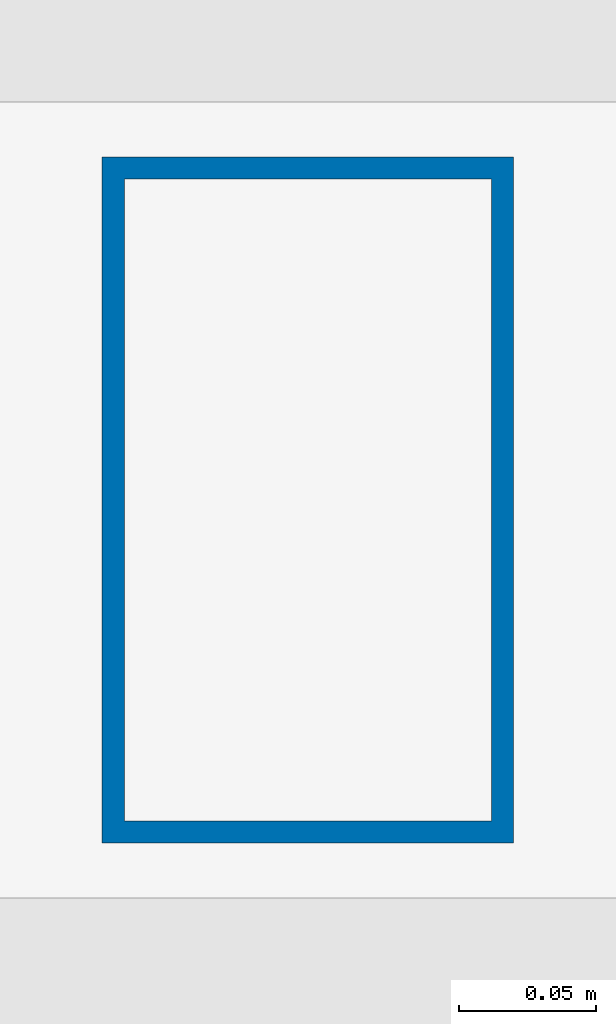
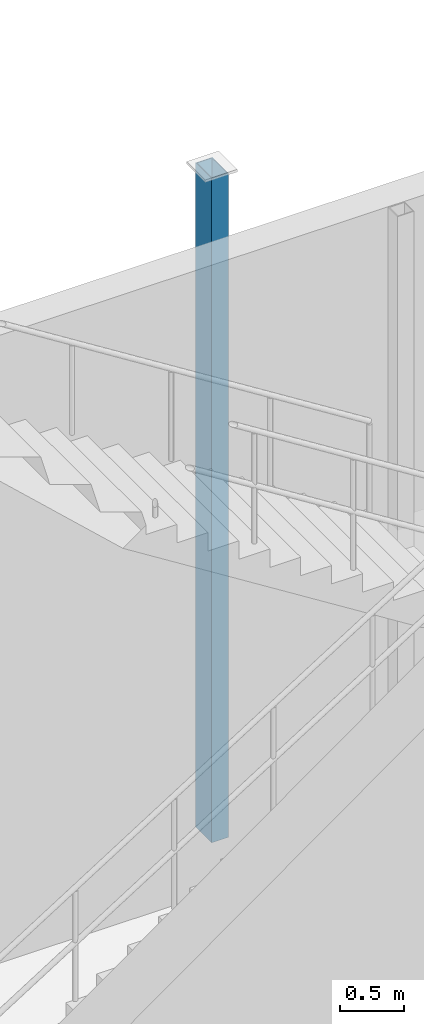
# One storey, part 15 of 120: 1 column.
"""IFC4 building model written with IfcOpenShell, lengths in metres."""

from ifc_helpers import new_model, si_unit, direction, frame, origin, origin_2d, place, context, subcontext, project, spatial, hollow_rectangle, extrude, material, material_profile, profile_set, type_object, element, save


model = new_model("IFC4")

# Units and contexts
model_context = context("Model", 3, precision=1e-05, world=origin(), true_north=direction((0.0, 1.0)))
body_context = subcontext(model_context, "Body", "Model", "MODEL_VIEW")
ifc_project = project(units=[si_unit("LENGTHUNIT", "METRE"), si_unit("AREAUNIT", "SQUARE_METRE"), si_unit("VOLUMEUNIT", "CUBIC_METRE"), si_unit("PLANEANGLEUNIT", "RADIAN"), si_unit("MASSUNIT", "GRAM", prefix="KILO")], contexts=[model_context])

# Site, building, storey
site_placement = place(None, origin())
site = spatial("IfcSite", under=ifc_project, at=site_placement, CompositionType="ELEMENT")
building_placement = place(site_placement, origin())
building = spatial("IfcBuilding", under=site, at=building_placement, Name="Siltcreek Boulevard Central Fire Station", CompositionType="ELEMENT")
storey_placement = place(building_placement, origin())
storey = spatial("IfcBuildingStorey", under=building, at=storey_placement, Name="L01", CompositionType="ELEMENT", Elevation=0.0)

# Column
ifc_material = material(Name="Structural steel ASTM A500 GrC", Category="steel")
ifc_material_profile = material_profile(ifc_material, hollow_rectangle(XDim=0.14990234375, YDim=0.25, WallThickness=0.008056640625, at=origin_2d()), Name="HSS250X150X8.0")
ifc_profile_set = profile_set([ifc_material_profile], Name="Structural steel ASTM A500 GrC")
column_type = type_object("IfcColumnType", Name="PIL_HSS250X150", PredefinedType="PILASTER", material=ifc_profile_set)
column_placement = place(storey_placement, frame((63.0, 54.550048828125, -0.35009765625), z_axis=(0.0, 0.0, 1.0), x_axis=(1.0, 0.0, 0.0)))
element("IfcColumn", 1, at=column_placement, inside=storey, type_object=column_type, Name="Terracotta pier pilaster column PL-06", PredefinedType="PILASTER", context=body_context, shape_type="SweptSolid", body=[
    extrude(hollow_rectangle(XDim=0.14990234375, YDim=0.25, WallThickness=0.008056640625, at=origin_2d()), origin(), (0.0, 0.0, 1.0), 6.35009765625),
])

save(model, "model.ifc")
